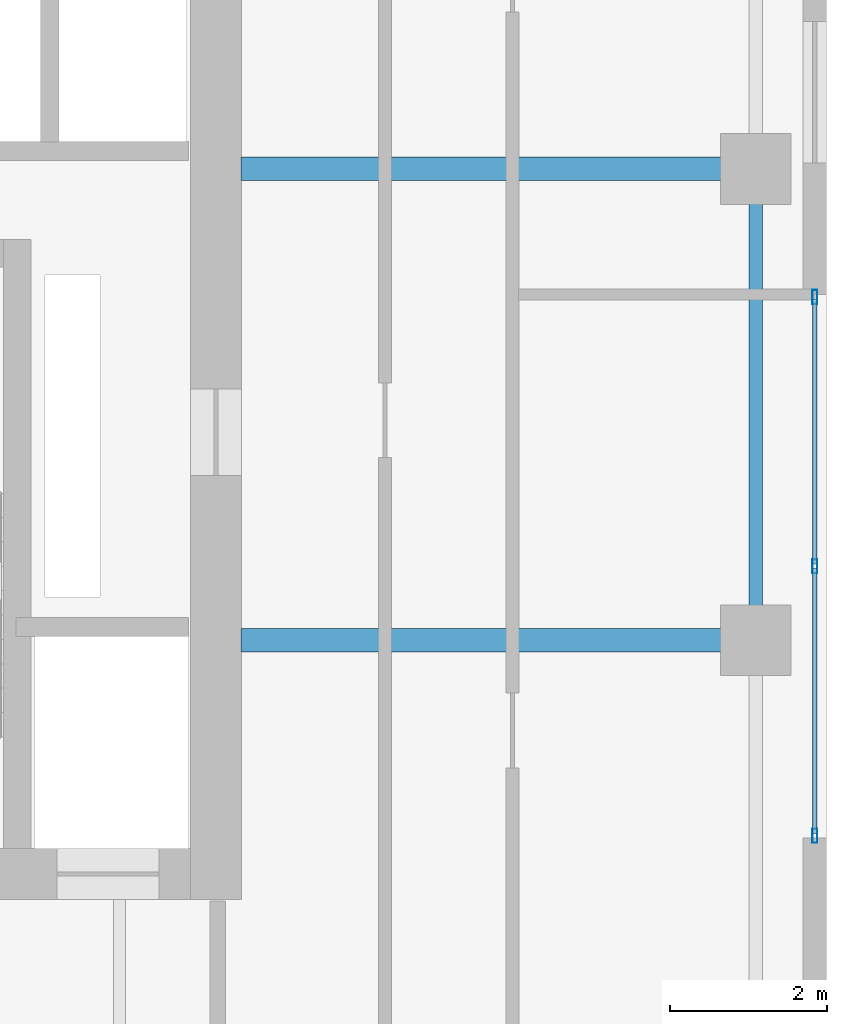
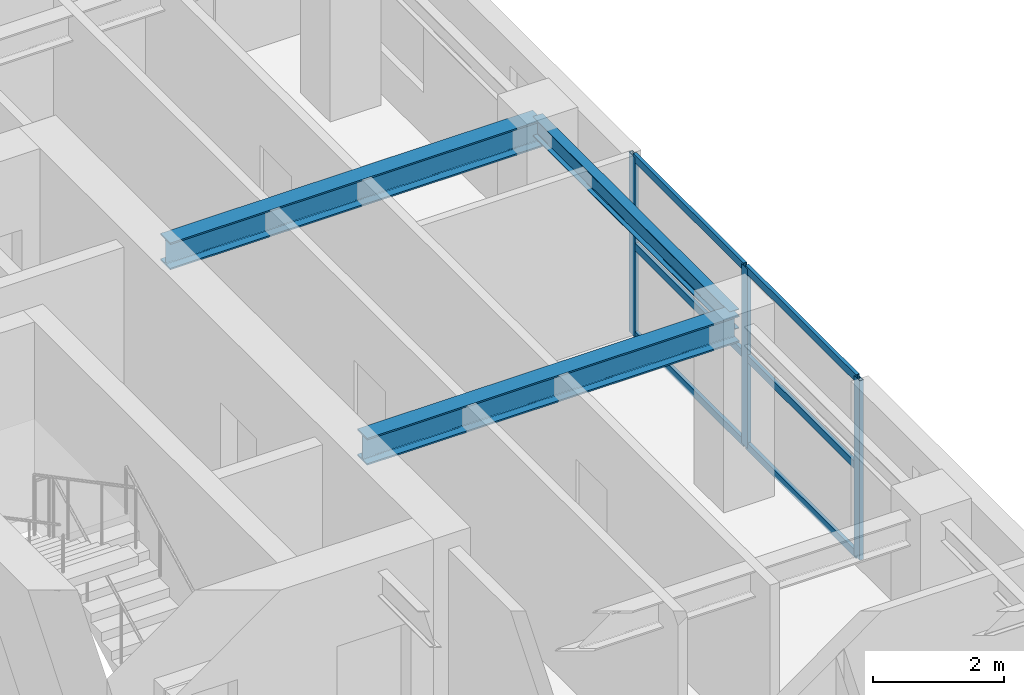
# One storey, part 11 of 20: 9 members, 3 beams, 1 element without a shape of its own.
"""IFC4 building model written with IfcOpenShell, lengths in metres."""

from ifc_helpers import new_model, si_unit, direction, frame, origin, origin_2d, place, context, subcontext, project, spatial, hollow_rectangle, i_section, extrude, source, transform, mapped, material, layer, layer_set, material_profile, profile_set, type_object, element, aggregate, save


model = new_model("IFC4")

# Units and contexts
model_context = context("Model", 3, precision=1e-05, world=origin(), true_north=direction((0.0, 1.0)))
body_context = subcontext(model_context, "Body", "Model", "MODEL_VIEW")
ifc_project = project(units=[si_unit("LENGTHUNIT", "METRE"), si_unit("AREAUNIT", "SQUARE_METRE"), si_unit("VOLUMEUNIT", "CUBIC_METRE"), si_unit("PLANEANGLEUNIT", "RADIAN"), si_unit("MASSUNIT", "GRAM", prefix="KILO")], contexts=[model_context])

# Site, building, storey
site_placement = place(None, origin())
site = spatial("IfcSite", under=ifc_project, at=site_placement, CompositionType="ELEMENT")
building_placement = place(site_placement, origin())
building = spatial("IfcBuilding", under=site, at=building_placement, Name="Khoralis Quay Care Tower", CompositionType="ELEMENT")
storey_placement = place(building_placement, frame((0.0, 0.0, 198.89990234375)))
storey = spatial("IfcBuildingStorey", under=building, at=storey_placement, Name="L52", CompositionType="ELEMENT", Elevation=198.89990234375)

# Beams
ifc_material_1 = material(Name="Steel S355", Category="steel")
ifc_material_profile_1 = material_profile(ifc_material_1, i_section(OverallWidth=0.169921875, OverallDepth=0.360107421875, WebThickness=0.008056640625, FlangeThickness=0.0126953125, FilletRadius=0.01806640625, at=origin_2d()), Name="Steel S355")
ifc_profile_set_1 = profile_set([ifc_material_profile_1], Name="Steel S355")
beam_type_1 = type_object("IfcBeamType", Name="BM-IPE360", PredefinedType="SPANDREL", material=ifc_profile_set_1)
shared_shape_1 = source(origin(), body_context, "Body", "SweptSolid", [
    extrude(i_section(OverallWidth=0.169921875, OverallDepth=0.360107421875, WebThickness=0.008056640625, FlangeThickness=0.0126953125, FilletRadius=0.01806640625, at=origin_2d()), origin(), (0.0, 0.0, 1.0), 6.0),
])
beam_placement = place(storey_placement, frame((44.10009765625, 18.0, 3.16015625), z_axis=(0.0, 1.0, 0.0), x_axis=(-1.0, 0.0, 0.0)))
element("IfcBeam", 1, at=beam_placement, inside=storey, type_object=beam_type_1, Name="BM-TSP-L52-12", PredefinedType="SPANDREL", context=body_context, shape_type="MappedRepresentation", body=[
    mapped(shared_shape_1, transform((0.0, 0.0, 0.0), scale=1.0)),
])
ifc_material_profile_2 = material_profile(ifc_material_1, i_section(OverallWidth=0.300048828125, OverallDepth=0.5, WebThickness=0.014404296875, FlangeThickness=0.028076171875, FilletRadius=0.027099609375, at=origin_2d()), Name="Steel S355")
ifc_profile_set_2 = profile_set([ifc_material_profile_2], Name="Steel S355")
beam_type_2 = type_object("IfcBeamType", Name="BM-HEB500", PredefinedType="BEAM", material=ifc_profile_set_2)
shared_shape_2 = source(origin(), body_context, "Body", "SweptSolid", [
    extrude(i_section(OverallWidth=0.300048828125, OverallDepth=0.5, WebThickness=0.014404296875, FlangeThickness=0.028076171875, FilletRadius=0.027099609375, at=origin_2d()), origin(), (0.0, 0.0, 1.0), 6.552001953125),
])
for number, where, z_axis, x_axis, name in (
    (2, (37.548095703125, 18.0, 3.090087890625), (1.0, 0.0, 0.0), (0.0, 1.0, 0.0), "BM-TGXE-L52-180"),
    (3, (37.548095703125, 24.0, 3.090087890625), (1.0, 0.0, 0.0), (0.0, 1.0, 0.0), "BM-TGXE-L52-240"),
):
    element("IfcBeam", number, at=place(storey_placement, frame(where, z_axis=z_axis, x_axis=x_axis)), inside=storey, type_object=beam_type_2, Name=name, PredefinedType="BEAM", context=body_context, shape_type="MappedRepresentation", body=[
        mapped(shared_shape_2, transform((0.0, 0.0, 0.0), scale=1.0)),
    ])

# Curtain wall, members
ifc_material_2 = material(Name="Pale anodised aluminium", Category="aluminium")
ifc_layer = layer(ifc_material_2, 0.159912109375)
ifc_layer_set = layer_set([ifc_layer], Name="Pale anodised aluminium")
curtain_wall_type = type_object("IfcCurtainWallType", Name="CW-SYS-Z3", PredefinedType="NOTDEFINED", material=ifc_layer_set)
curtain_wall_placement = place(storey_placement, origin())
curtain_wall = element("IfcCurtainWall", 4, at=curtain_wall_placement, inside=storey, type_object=curtain_wall_type, Name="L52 Unitised Curtain Wall CW-L52-P2-E5", PredefinedType="NOTDEFINED")
ifc_material_profile_3 = material_profile(ifc_material_2, hollow_rectangle(XDim=0.06494140625, YDim=0.179931640625, WallThickness=0.00390625, at=origin_2d()), Name="Pale anodised aluminium")
ifc_profile_set_3 = profile_set([ifc_material_profile_3], Name="Pale anodised aluminium")
member_type_1 = type_object("IfcMemberType", Name="CW-MUL-180", PredefinedType="MULLION", material=ifc_profile_set_3)
shared_shape_3 = source(origin(), body_context, "Body", "SweptSolid", [
    extrude(hollow_rectangle(XDim=0.06494140625, YDim=0.179931640625, WallThickness=0.00390625, at=origin_2d()), origin(), (0.0, 0.0, 1.0), 3.340087890625),
])
member_1_placement = place(storey_placement, frame((44.85009765625, 15.510009765625, 0.0), z_axis=(0.0, 0.0, 1.0), x_axis=(-1.0, 0.0, 0.0)))
member_1 = element("IfcMember", 5, at=member_1_placement, type_object=member_type_1, Name="CW3 mullion 1", PredefinedType="MULLION", context=body_context, shape_type="MappedRepresentation", body=[
    mapped(shared_shape_3, transform((0.0, 0.0, 0.0), scale=1.0)),
])
member_2_placement = place(storey_placement, frame((44.85009765625, 18.93994140625, 0.0), z_axis=(0.0, 0.0, 1.0), x_axis=(-1.0, 0.0, 0.0)))
member_2 = element("IfcMember", 6, at=member_2_placement, type_object=member_type_1, Name="CW3 mullion 2", PredefinedType="MULLION", context=body_context, shape_type="MappedRepresentation", body=[
    mapped(shared_shape_3, transform((0.0, 0.0, 0.0), scale=1.0)),
])
member_3_placement = place(storey_placement, frame((44.85009765625, 22.3701171875, 0.0), z_axis=(0.0, 0.0, 1.0), x_axis=(-1.0, 0.0, 0.0)))
member_3 = element("IfcMember", 7, at=member_3_placement, type_object=member_type_1, Name="CW3 mullion 3", PredefinedType="MULLION", context=body_context, shape_type="MappedRepresentation", body=[
    mapped(shared_shape_3, transform((0.0, 0.0, 0.0), scale=1.0)),
])
ifc_material_profile_4 = material_profile(ifc_material_2, hollow_rectangle(XDim=0.06005859375, YDim=0.139892578125, WallThickness=0.00390625, at=origin_2d()), Name="Pale anodised aluminium")
ifc_profile_set_4 = profile_set([ifc_material_profile_4], Name="Pale anodised aluminium")
member_type_2 = type_object("IfcMemberType", Name="CW-TRN-140", PredefinedType="USERDEFINED", material=ifc_profile_set_4)
shared_shape_4 = source(origin(), body_context, "Body", "SweptSolid", [
    extrude(hollow_rectangle(XDim=0.06005859375, YDim=0.139892578125, WallThickness=0.00390625, at=origin_2d()), origin(), (0.0, 0.0, 1.0), 3.369873046875),
])
member_4_placement = place(storey_placement, frame((44.85009765625, 15.5400390625, 0.030029296875), z_axis=(0.0, 1.0, 0.0), x_axis=(-1.0, 0.0, 0.0)))
member_4 = element("IfcMember", 8, at=member_4_placement, type_object=member_type_2, Name="CW3 transom 1.1", ObjectType="TRANSOM", PredefinedType="USERDEFINED", context=body_context, shape_type="MappedRepresentation", body=[
    mapped(shared_shape_4, transform((0.0, 0.0, 0.0), scale=1.0)),
])
member_5_placement = place(storey_placement, frame((44.85009765625, 15.5400390625, 1.670166015625), z_axis=(0.0, 1.0, 0.0), x_axis=(-1.0, 0.0, 0.0)))
member_5 = element("IfcMember", 9, at=member_5_placement, type_object=member_type_2, Name="CW3 transom 1.2", ObjectType="TRANSOM", PredefinedType="USERDEFINED", context=body_context, shape_type="MappedRepresentation", body=[
    mapped(shared_shape_4, transform((0.0, 0.0, 0.0), scale=1.0)),
])
member_6_placement = place(storey_placement, frame((44.85009765625, 15.5400390625, 3.31005859375), z_axis=(0.0, 1.0, 0.0), x_axis=(-1.0, 0.0, 0.0)))
member_6 = element("IfcMember", 10, at=member_6_placement, type_object=member_type_2, Name="CW3 transom 1.3", ObjectType="TRANSOM", PredefinedType="USERDEFINED", context=body_context, shape_type="MappedRepresentation", body=[
    mapped(shared_shape_4, transform((0.0, 0.0, 0.0), scale=1.0)),
])
shared_shape_5 = source(origin(), body_context, "Body", "SweptSolid", [
    extrude(hollow_rectangle(XDim=0.06005859375, YDim=0.139892578125, WallThickness=0.00390625, at=origin_2d()), origin(), (0.0, 0.0, 1.0), 3.3701171875),
])
member_7_placement = place(storey_placement, frame((44.85009765625, 18.969970703125, 0.030029296875), z_axis=(0.0, 1.0, 0.0), x_axis=(-1.0, 0.0, 0.0)))
member_7 = element("IfcMember", 11, at=member_7_placement, type_object=member_type_2, Name="CW3 transom 2.1", ObjectType="TRANSOM", PredefinedType="USERDEFINED", context=body_context, shape_type="MappedRepresentation", body=[
    mapped(shared_shape_5, transform((0.0, 0.0, 0.0), scale=1.0)),
])
member_8_placement = place(storey_placement, frame((44.85009765625, 18.969970703125, 1.670166015625), z_axis=(0.0, 1.0, 0.0), x_axis=(-1.0, 0.0, 0.0)))
member_8 = element("IfcMember", 12, at=member_8_placement, type_object=member_type_2, Name="CW3 transom 2.2", ObjectType="TRANSOM", PredefinedType="USERDEFINED", context=body_context, shape_type="MappedRepresentation", body=[
    mapped(shared_shape_5, transform((0.0, 0.0, 0.0), scale=1.0)),
])
member_9_placement = place(storey_placement, frame((44.85009765625, 18.969970703125, 3.31005859375), z_axis=(0.0, 1.0, 0.0), x_axis=(-1.0, 0.0, 0.0)))
member_9 = element("IfcMember", 13, at=member_9_placement, type_object=member_type_2, Name="CW3 transom 2.3", ObjectType="TRANSOM", PredefinedType="USERDEFINED", context=body_context, shape_type="MappedRepresentation", body=[
    mapped(shared_shape_5, transform((0.0, 0.0, 0.0), scale=1.0)),
])
aggregate(curtain_wall, [member_1, member_2, member_3, member_4, member_5, member_6, member_7, member_8, member_9])

save(model, "model.ifc")
